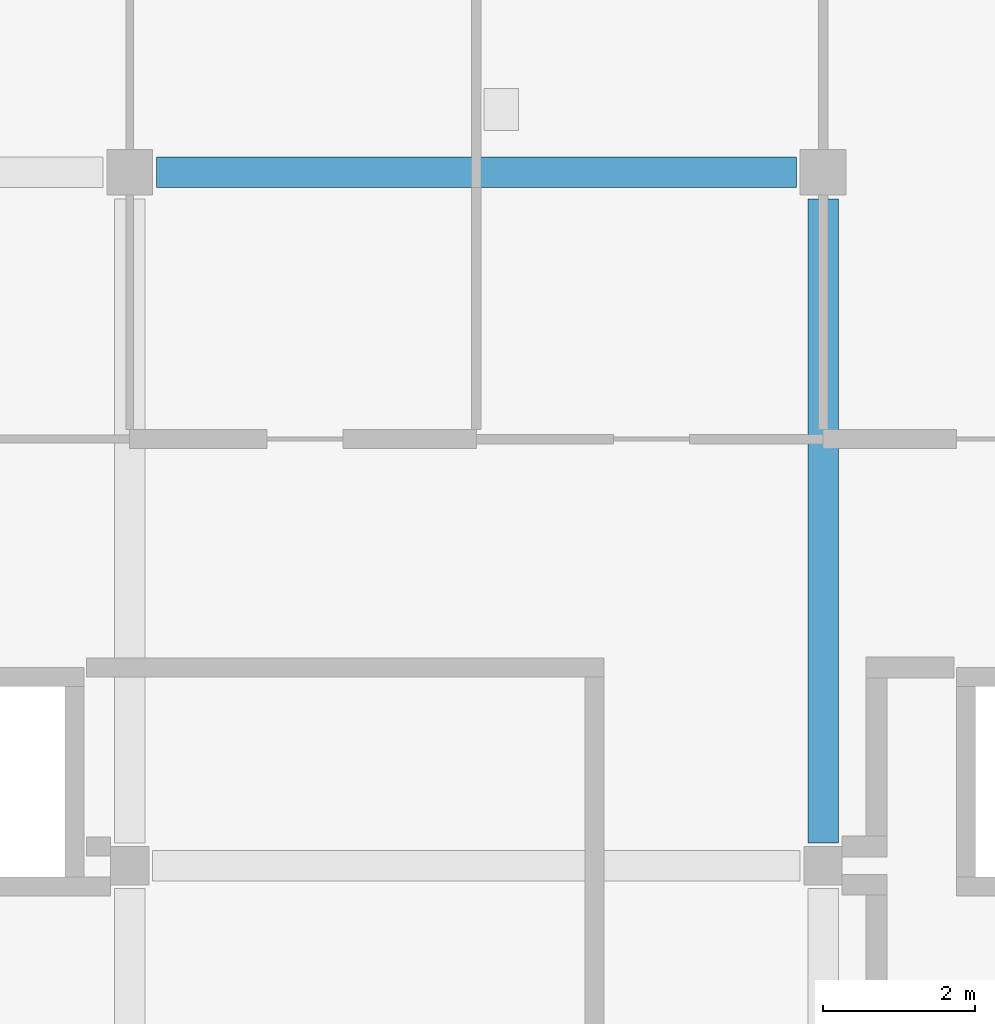
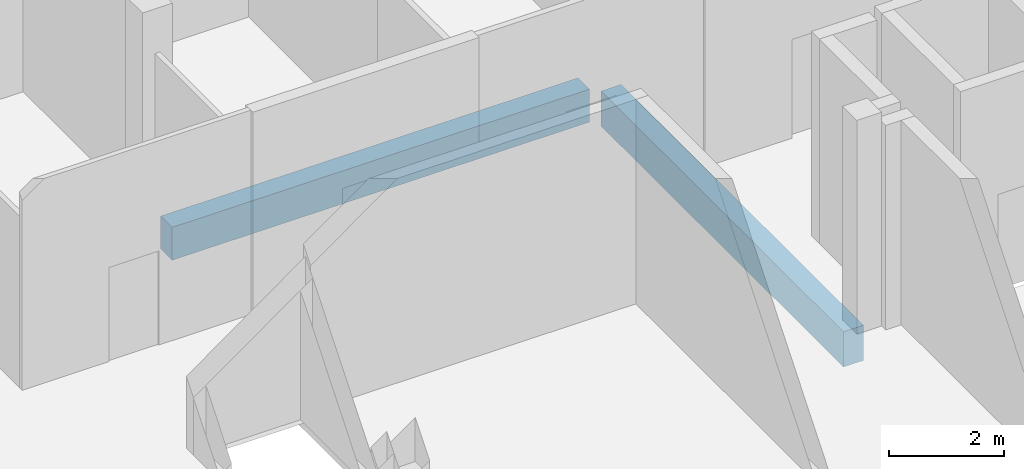
# One storey, part 10 of 91: 2 beams.
"""IFC4 building model written with IfcOpenShell, lengths in metres."""

from ifc_helpers import new_model, si_unit, direction, frame, origin, origin_2d, place, context, subcontext, project, spatial, rectangle, extrude, material, material_profile, profile_set, type_object, element, save


model = new_model("IFC4")

# Units and contexts
model_context = context("Model", 3, precision=1e-05, world=origin(), true_north=direction((0.0, 1.0)))
body_context = subcontext(model_context, "Body", "Model", "MODEL_VIEW")
ifc_project = project(units=[si_unit("LENGTHUNIT", "METRE"), si_unit("AREAUNIT", "SQUARE_METRE"), si_unit("VOLUMEUNIT", "CUBIC_METRE"), si_unit("PLANEANGLEUNIT", "RADIAN"), si_unit("MASSUNIT", "GRAM", prefix="KILO")], contexts=[model_context])

# Site, building, storey
site_placement = place(None, origin())
site = spatial("IfcSite", under=ifc_project, at=site_placement, CompositionType="ELEMENT")
building_placement = place(site_placement, origin())
building = spatial("IfcBuilding", under=site, at=building_placement, Name="Shirokan Park Arena", CompositionType="ELEMENT")
storey_placement = place(building_placement, frame((0.0, 0.0, 24.570068359375)))
storey = spatial("IfcBuildingStorey", under=building, at=storey_placement, Name="L05", CompositionType="ELEMENT", Elevation=24.570068359375)

# Beams
ifc_material = material(Name="Concrete C35", Category="concrete")
ifc_material_profile_1 = material_profile(ifc_material, rectangle(XDim=0.39990234375, YDim=0.699951171875, at=origin_2d()), Name="400x700")
ifc_profile_set_1 = profile_set([ifc_material_profile_1], Name="Concrete C35")
beam_type_1 = type_object("IfcBeamType", Name="RC girder 400x700", PredefinedType="BEAM", material=ifc_profile_set_1)
beam_1_placement = place(storey_placement, frame((27.650146484375, 36.39990234375, -0.650146484375), z_axis=(1.0, 0.0, 0.0), x_axis=(0.0, 1.0, 0.0)))
element("IfcBeam", 1, at=beam_1_placement, inside=storey, type_object=beam_type_1, Name="Girder 4E-5E L05", PredefinedType="BEAM", context=body_context, shape_type="SweptSolid", body=[
    extrude(rectangle(XDim=0.39990234375, YDim=0.699951171875, at=origin_2d()), origin(), (0.0, 0.0, 1.0), 8.399658203125),
])
ifc_material_profile_2 = material_profile(ifc_material, rectangle(XDim=0.39990234375, YDim=0.75, at=origin_2d()), Name="400x750")
ifc_profile_set_2 = profile_set([ifc_material_profile_2], Name="Concrete C35")
beam_type_2 = type_object("IfcBeamType", Name="RC girder 400x750", PredefinedType="BEAM", material=ifc_profile_set_2)
beam_2_placement = place(storey_placement, frame((36.39990234375, 27.60009765625, -0.675048828125), z_axis=(0.0, 1.0, 0.0), x_axis=(-1.0, 0.0, 0.0)))
element("IfcBeam", 2, at=beam_2_placement, inside=storey, type_object=beam_type_2, Name="Girder 5D-5E L05", PredefinedType="BEAM", context=body_context, shape_type="SweptSolid", body=[
    extrude(rectangle(XDim=0.39990234375, YDim=0.75, at=origin_2d()), origin(), (0.0, 0.0, 1.0), 8.44970703125),
])

save(model, "model.ifc")
